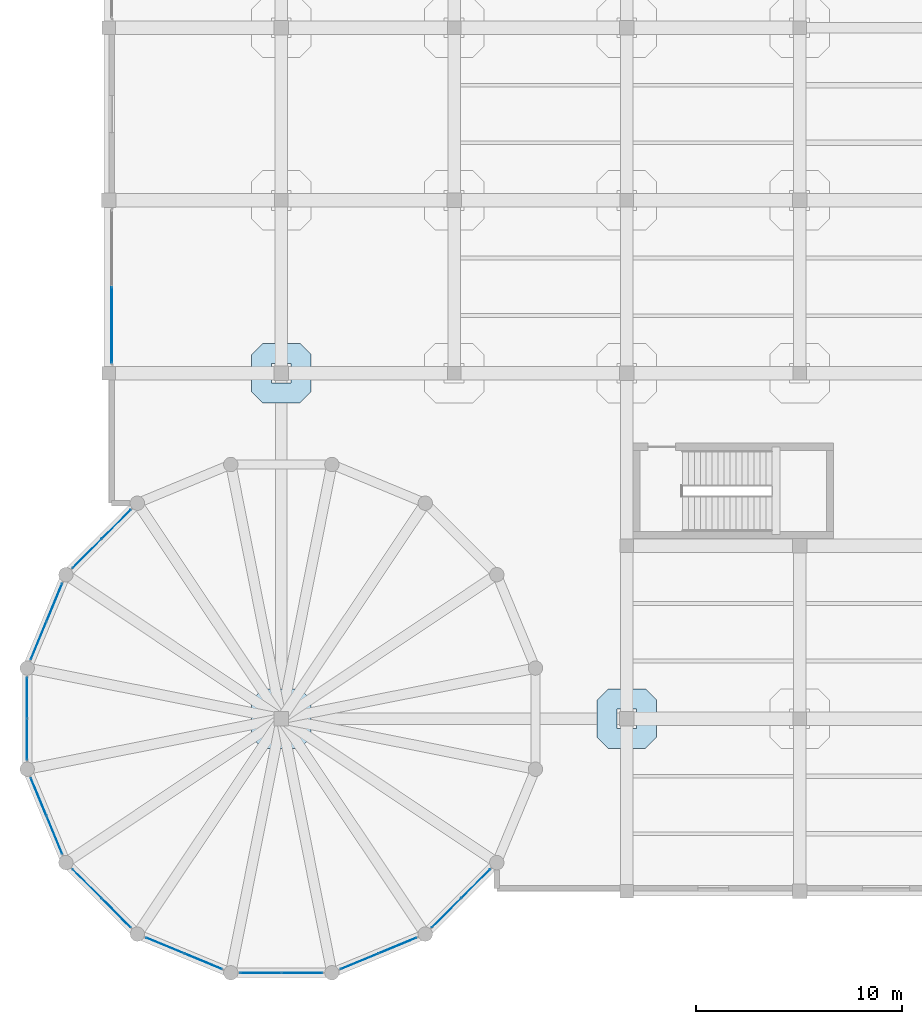
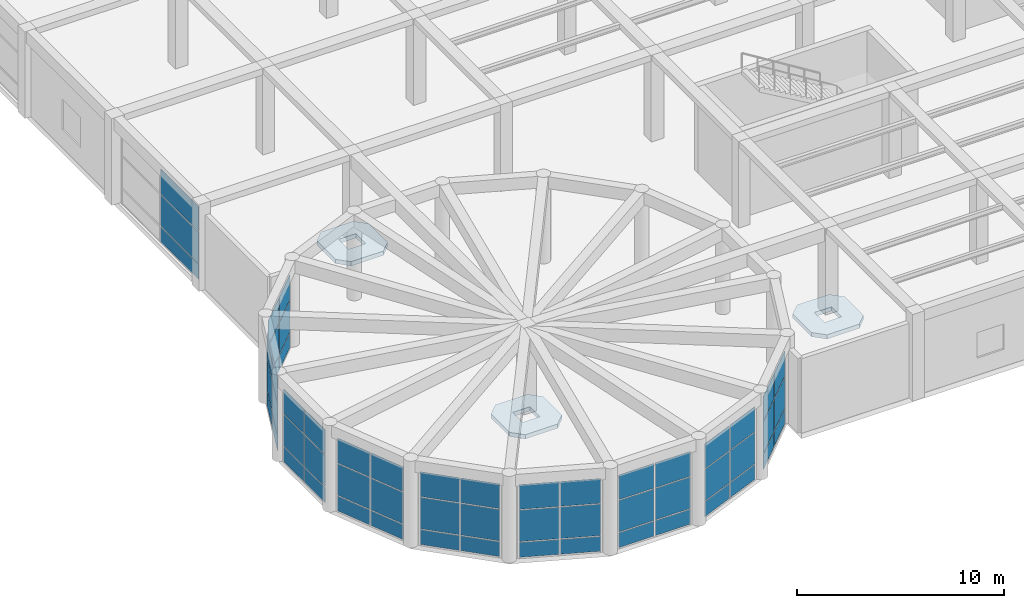
# One storey, part 68 of 95: 57 plates, 3 slabs, 10 elements without a shape of their own.
"""IFC4 building model written with IfcOpenShell, lengths in metres."""

import ifcopenshell
import ifcopenshell.guid

model = None  # the IFC model being written
_history = None  # IfcOwnerHistory: only IFC2X3 demands one
_inside = {}  # id of a spatial element -> (the spatial element, [elements in it])
_under = {}  # id of a project, library or spatial element -> (it, [spatial elements below it])
_declared = {}  # id of a project -> (the project, [libraries it declares])
_typed = {}  # id of a type object -> (the type object, [elements of that type])
_made_of = {}  # id of a material, layer set ... -> (it, [elements and type objects made of it])


def new_model(schema):
    """Start an empty IFC model of exactly this schema.

    Asked for "IFC4X3", IfcOpenShell would pick the latest addendum, in which some entities
    have other attributes; the version numbers below select the first issue.
    IFC2X3 requires an IfcOwnerHistory on every rooted entity: one is made here for all.
    """
    global model, _history
    if schema == "IFC4X3":
        model = ifcopenshell.file(schema_version=(4, 3, 0, 0))
    else:
        model = ifcopenshell.file(schema=schema)
    _inside.clear()
    _under.clear()
    _declared.clear()
    _typed.clear()
    _made_of.clear()
    _history = None
    if model.schema == "IFC2X3":
        org = make("IfcOrganization", Name="unknown")
        user = make(
            "IfcPersonAndOrganization",
            ThePerson=make("IfcPerson", FamilyName="unknown"),
            TheOrganization=org,
        )
        app = make(
            "IfcApplication",
            ApplicationDeveloper=org,
            Version="unknown",
            ApplicationFullName="unknown",
            ApplicationIdentifier="unknown",
        )
        _history = make(
            "IfcOwnerHistory",
            OwningUser=user,
            OwningApplication=app,
            ChangeAction="ADDED",
            CreationDate=0,
        )
    return model


def make(cls, **values):
    """One entity of the class cls with the attributes given. An attribute that is None is left unset."""
    return model.create_entity(
        cls, **{name: value for name, value in values.items() if value is not None}
    )


def rooted(cls, **values):
    """An entity with a GlobalId (a new one), such as an element, a storey or a relation."""
    return make(cls, GlobalId=ifcopenshell.guid.new(), OwnerHistory=_history, **values)


def si_unit(unit_type, name, prefix=None):
    """IfcSIUnit, for example si_unit("LENGTHUNIT", "METRE", prefix="MILLI")."""
    return make("IfcSIUnit", UnitType=unit_type, Prefix=prefix, Name=name)


def assignment(units):
    """IfcUnitAssignment: the units of a project."""
    return None if units is None else make("IfcUnitAssignment", Units=units)


def point(xyz):
    """IfcCartesianPoint."""
    return None if xyz is None else make("IfcCartesianPoint", Coordinates=xyz)


def direction(xyz):
    """IfcDirection."""
    return None if xyz is None else make("IfcDirection", DirectionRatios=xyz)


def frame(location, z_axis=None, x_axis=None):
    """IfcAxis2Placement3D, a coordinate frame: its origin and axes. An axis left out is left unset."""
    return make(
        "IfcAxis2Placement3D",
        Location=point(location),
        Axis=direction(z_axis),
        RefDirection=direction(x_axis),
    )


def frame_2d(location, x_axis=None):
    """IfcAxis2Placement2D, a coordinate frame in the plane: its origin and x axis."""
    return make(
        "IfcAxis2Placement2D", Location=point(location), RefDirection=direction(x_axis)
    )


def origin():
    """The frame at (0, 0, 0) with its axes left unset."""
    return frame((0.0, 0.0, 0.0))


def origin_2d():
    """The frame at (0, 0) in the plane with its x axis left unset."""
    return frame_2d((0.0, 0.0))


def place(relative_to, where):
    """IfcLocalPlacement: puts the frame where relative to a parent placement (None: the world)."""
    return make(
        "IfcLocalPlacement", PlacementRelTo=relative_to, RelativePlacement=where
    )


def context(
    kind, dimensions, precision=None, world=None, true_north=None, identifier=None
):
    """IfcGeometricRepresentationContext, for example the 3D "Model" context."""
    return make(
        "IfcGeometricRepresentationContext",
        ContextIdentifier=identifier,
        ContextType=kind,
        CoordinateSpaceDimension=dimensions,
        Precision=precision,
        WorldCoordinateSystem=world,
        TrueNorth=true_north,
    )


def subcontext(parent, identifier, kind, view, scale=None):
    """IfcGeometricRepresentationSubContext, for example "Body" below "Model"."""
    return make(
        "IfcGeometricRepresentationSubContext",
        ContextIdentifier=identifier,
        ContextType=kind,
        ParentContext=parent,
        TargetScale=scale,
        TargetView=view,
    )


def project(units=None, contexts=None):
    """IfcProject with its units and contexts."""
    return rooted(
        "IfcProject",
        Name="project",
        RepresentationContexts=contexts,
        UnitsInContext=assignment(units),
    )


def spatial(cls, under=None, at=None, **own):
    """A site, building, storey or space (cls), placed at a placement, below another one or the project."""
    s = rooted(cls, ObjectPlacement=at, **own)
    if under is not None:
        _under.setdefault(under.id(), (under, []))[1].append(s)
    return s


def polyline(points):
    """IfcPolyline through the points."""
    return make("IfcPolyline", Points=[point(p) for p in points])


def profile(cls, at=None, kind="AREA", **sizes):
    """A parametric profile (cls). Its sizes go by their IFC names, for example OverallWidth=200.0."""
    return make(cls, ProfileType=kind, Position=at, **sizes)


def rectangle(**sizes):
    """IfcRectangleProfileDef."""
    return profile("IfcRectangleProfileDef", **sizes)


def outline(outer, holes=None, kind="AREA"):
    """IfcArbitraryClosedProfileDef: a profile drawn as a closed curve; with holes, ...WithVoids."""
    if holes is None:
        return make("IfcArbitraryClosedProfileDef", ProfileType=kind, OuterCurve=outer)
    return make(
        "IfcArbitraryProfileDefWithVoids",
        ProfileType=kind,
        OuterCurve=outer,
        InnerCurves=holes,
    )


def extrude(swept, where, along, depth):
    """IfcExtrudedAreaSolid: the profile swept, set in the frame where, extruded along a direction by depth."""
    return make(
        "IfcExtrudedAreaSolid",
        SweptArea=swept,
        Position=where,
        ExtrudedDirection=direction(along),
        Depth=depth,
    )


def shape(context_of_items, identifier, shape_type, items):
    """IfcShapeRepresentation: the items that make up one representation, for example the "Body"."""
    return make(
        "IfcShapeRepresentation",
        ContextOfItems=context_of_items,
        RepresentationIdentifier=identifier,
        RepresentationType=shape_type,
        Items=items,
    )


def material(Name=None, Category=None):
    """IfcMaterial."""
    return make("IfcMaterial", Name=Name, Category=Category)


def layer(
    of_material, thickness, ventilated=None, Name=None, Category=None, Priority=None
):
    """IfcMaterialLayer: one layer of a wall or slab, of a material (None: an air gap)."""
    return make(
        "IfcMaterialLayer",
        Material=of_material,
        LayerThickness=thickness,
        IsVentilated=ventilated,
        Name=Name,
        Category=Category,
        Priority=Priority,
    )


def layer_set(layers, Name=None):
    """IfcMaterialLayerSet."""
    return make("IfcMaterialLayerSet", MaterialLayers=layers, LayerSetName=Name)


def made_of(thing, what):
    """Note that an element or type object is made of a material, layer set ...; save() writes the relation."""
    if what is not None:
        _made_of.setdefault(what.id(), (what, []))[1].append(thing)
    return thing


def type_object(cls, material=None, **own):
    """A type object (cls), such as IfcWallType, which elements share."""
    return made_of(rooted(cls, **own), material)


def element(
    cls,
    number,
    at=None,
    inside=None,
    cuts=None,
    type_object=None,
    material=None,
    context=None,
    identifier="Body",
    shape_type=None,
    held_by="IfcProductDefinitionShape",
    body=None,
    shapes=None,
    **own,
):
    """One element of the class cls, such as IfcWall. Its Tag is "e" and its number.

    at: its placement. inside: the storey or other place that contains it. cuts: it is an
    opening in that element (IfcRelVoidsElement). A single representation is given by context,
    identifier, shape_type and body (its items); several are given by shapes. held_by: the class
    of the entity that holds the representations. save() writes the other relations.
    """
    e = rooted(cls, Tag="e%d" % number, ObjectPlacement=at, **own)
    if body is not None:
        shapes = [shape(context, identifier, shape_type, body)]
    if shapes is not None:
        e.Representation = make(held_by, Representations=shapes)
    if inside is not None:
        _inside.setdefault(inside.id(), (inside, []))[1].append(e)
    if cuts is not None:
        rooted(
            "IfcRelVoidsElement", RelatingBuildingElement=cuts, RelatedOpeningElement=e
        )
    if type_object is not None:
        _typed.setdefault(type_object.id(), (type_object, []))[1].append(e)
    return made_of(e, material)


def aggregate(whole, parts):
    """IfcRelAggregates: a whole, such as a stair, and the parts it consists of."""
    return rooted("IfcRelAggregates", RelatingObject=whole, RelatedObjects=parts)


def save(model, path):
    """Write the relations noted so far, then the file.

    IfcRelAggregates (storeys below a building ...), IfcRelContainedInSpatialStructure (elements
    in a storey), IfcRelDefinesByType, IfcRelAssociatesMaterial and IfcRelDeclares: one each for
    every whole, place, type object, material and project.
    """
    for whole, parts in _under.values():
        aggregate(whole, parts)
    for where, things in _inside.values():
        rooted(
            "IfcRelContainedInSpatialStructure",
            RelatedElements=things,
            RelatingStructure=where,
        )
    for kind, things in _typed.values():
        rooted("IfcRelDefinesByType", RelatedObjects=things, RelatingType=kind)
    for what, things in _made_of.values():
        rooted("IfcRelAssociatesMaterial", RelatedObjects=things, RelatingMaterial=what)
    for by, libraries in _declared.values():
        rooted("IfcRelDeclares", RelatingContext=by, RelatedDefinitions=libraries)
    model.write(path)


model = new_model("IFC4")

# Units and contexts
model_context = context("Model", 3, precision=1e-05, world=origin(), true_north=direction((0.0, 1.0)))
body_context = subcontext(model_context, "Body", "Model", "MODEL_VIEW")
ifc_project = project(units=[si_unit("LENGTHUNIT", "METRE"), si_unit("AREAUNIT", "SQUARE_METRE"), si_unit("VOLUMEUNIT", "CUBIC_METRE"), si_unit("PLANEANGLEUNIT", "RADIAN"), si_unit("MASSUNIT", "GRAM", prefix="KILO")], contexts=[model_context])

# Site, building, storey
site_placement = place(None, origin())
site = spatial("IfcSite", under=ifc_project, at=site_placement, CompositionType="ELEMENT")
building_placement = place(site_placement, origin())
building = spatial("IfcBuilding", under=site, at=building_placement, Name="Almacenes y Pasaje Nevantli", CompositionType="ELEMENT")
storey_placement = place(building_placement, frame((0.0, 0.0, 11.39990234375)))
storey = spatial("IfcBuildingStorey", under=building, at=storey_placement, Name="L03", CompositionType="ELEMENT", Elevation=11.39990234375)

# Curtain wall, plates
ifc_material_1 = material(Name="Thermally Broken Aluminium and Low-E Glass", Category="aluminium")
curtain_wall_type_1 = type_object("IfcCurtainWallType", Name="CW-UNIT-ROTUNDA", PredefinedType="USERDEFINED", material=ifc_material_1)
curtain_wall_1_placement = place(storey_placement, origin())
curtain_wall_1 = element("IfcCurtainWall", 1, at=curtain_wall_1_placement, inside=storey, type_object=curtain_wall_type_1, Name="L03 Corner Rotunda Faceted Curtain Wall Facet #6", ObjectType="UNITIZED CURTAIN WALL", PredefinedType="USERDEFINED")
ifc_material_2 = material(Name="Tempered Clear Storefront Glazing", Category="glass")
ifc_layer_1 = layer(ifc_material_2, 0.02392578125)
ifc_layer_set_1 = layer_set([ifc_layer_1], Name="Tempered Clear Storefront Glazing")
plate_type_1 = type_object("IfcPlateType", Name="PL-IGU-24", PredefinedType="CURTAIN_PANEL", material=ifc_layer_set_1)
plate_1_placement = place(storey_placement, frame((0.373291015625, 17.85009765625, 0.050048828125), z_axis=(0.0, 0.0, 1.0), x_axis=(-0.707106781187, -0.707106781187, 0.0)))
plate_1 = element("IfcPlate", 2, at=plate_1_placement, type_object=plate_type_1, Name="CW-L03-058 panel 1.1", PredefinedType="CURTAIN_PANEL", context=body_context, shape_type="SweptSolid", body=[
    extrude(rectangle(XDim=1.963134765625, YDim=0.02392578125, at=origin_2d()), origin(), (0.0, 0.0, 1.0), 0.875),
])
plate_2_placement = place(storey_placement, frame((0.373291015625, 17.85009765625, 0.97509765625), z_axis=(0.0, 0.0, 1.0), x_axis=(-0.707106781187, -0.707106781187, 0.0)))
plate_2 = element("IfcPlate", 3, at=plate_2_placement, type_object=plate_type_1, Name="CW-L03-058 panel 1.2", PredefinedType="CURTAIN_PANEL", context=body_context, shape_type="SweptSolid", body=[
    extrude(rectangle(XDim=1.963134765625, YDim=0.02392578125, at=origin_2d()), origin(), (0.0, 0.0, 1.0), 1.85009765625),
])
plate_3_placement = place(storey_placement, frame((0.373291015625, 17.85009765625, 2.875), z_axis=(0.0, 0.0, 1.0), x_axis=(-0.707106781187, -0.707106781187, 0.0)))
plate_3 = element("IfcPlate", 4, at=plate_3_placement, type_object=plate_type_1, Name="CW-L03-058 panel 1.3", PredefinedType="CURTAIN_PANEL", context=body_context, shape_type="SweptSolid", body=[
    extrude(rectangle(XDim=1.963134765625, YDim=0.02392578125, at=origin_2d()), origin(), (0.0, 0.0, 1.0), 1.455078125),
])
plate_4_placement = place(storey_placement, frame((-1.050048828125, 16.426513671875, 0.050048828125), z_axis=(0.0, 0.0, 1.0), x_axis=(-0.707106781187, -0.707106781187, 0.0)))
plate_4 = element("IfcPlate", 5, at=plate_4_placement, type_object=plate_type_1, Name="CW-L03-058 panel 2.1", PredefinedType="CURTAIN_PANEL", context=body_context, shape_type="SweptSolid", body=[
    extrude(rectangle(XDim=1.963134765625, YDim=0.02392578125, at=origin_2d()), origin(), (0.0, 0.0, 1.0), 0.875),
])
plate_5_placement = place(storey_placement, frame((-1.050048828125, 16.426513671875, 0.97509765625), z_axis=(0.0, 0.0, 1.0), x_axis=(-0.707106781187, -0.707106781187, 0.0)))
plate_5 = element("IfcPlate", 6, at=plate_5_placement, type_object=plate_type_1, Name="CW-L03-058 panel 2.2", PredefinedType="CURTAIN_PANEL", context=body_context, shape_type="SweptSolid", body=[
    extrude(rectangle(XDim=1.963134765625, YDim=0.02392578125, at=origin_2d()), origin(), (0.0, 0.0, 1.0), 1.85009765625),
])
plate_6_placement = place(storey_placement, frame((-1.050048828125, 16.426513671875, 2.875), z_axis=(0.0, 0.0, 1.0), x_axis=(-0.707106781187, -0.707106781187, 0.0)))
plate_6 = element("IfcPlate", 7, at=plate_6_placement, type_object=plate_type_1, Name="CW-L03-058 panel 2.3", PredefinedType="CURTAIN_PANEL", context=body_context, shape_type="SweptSolid", body=[
    extrude(rectangle(XDim=1.963134765625, YDim=0.02392578125, at=origin_2d()), origin(), (0.0, 0.0, 1.0), 1.455078125),
])
aggregate(curtain_wall_1, [plate_1, plate_2, plate_3, plate_4, plate_5, plate_6])

curtain_wall_2_placement = place(storey_placement, origin())
curtain_wall_2 = element("IfcCurtainWall", 8, at=curtain_wall_2_placement, inside=storey, type_object=curtain_wall_type_1, Name="L03 Corner Rotunda Faceted Curtain Wall Facet #7", ObjectType="UNITIZED CURTAIN WALL", PredefinedType="USERDEFINED")
plate_7_placement = place(storey_placement, frame((-2.632080078125, 14.05908203125, 0.050048828125), z_axis=(0.0, 0.0, 1.0), x_axis=(-0.382698450865, -0.923873311502, 0.0)))
plate_7 = element("IfcPlate", 9, at=plate_7_placement, type_object=plate_type_1, Name="CW-L03-059 panel 1.1", PredefinedType="CURTAIN_PANEL", context=body_context, shape_type="SweptSolid", body=[
    extrude(rectangle(XDim=1.963134765625, YDim=0.02392578125, at=origin_2d()), origin(), (0.0, 0.0, 1.0), 0.875),
])
plate_8_placement = place(storey_placement, frame((-2.632080078125, 14.05908203125, 0.97509765625), z_axis=(0.0, 0.0, 1.0), x_axis=(-0.382698450865, -0.923873311502, 0.0)))
plate_8 = element("IfcPlate", 10, at=plate_8_placement, type_object=plate_type_1, Name="CW-L03-059 panel 1.2", PredefinedType="CURTAIN_PANEL", context=body_context, shape_type="SweptSolid", body=[
    extrude(rectangle(XDim=1.963134765625, YDim=0.02392578125, at=origin_2d()), origin(), (0.0, 0.0, 1.0), 1.85009765625),
])
plate_9_placement = place(storey_placement, frame((-2.632080078125, 14.05908203125, 2.875), z_axis=(0.0, 0.0, 1.0), x_axis=(-0.382698450865, -0.923873311502, 0.0)))
plate_9 = element("IfcPlate", 11, at=plate_9_placement, type_object=plate_type_1, Name="CW-L03-059 panel 1.3", PredefinedType="CURTAIN_PANEL", context=body_context, shape_type="SweptSolid", body=[
    extrude(rectangle(XDim=1.963134765625, YDim=0.02392578125, at=origin_2d()), origin(), (0.0, 0.0, 1.0), 1.455078125),
])
plate_10_placement = place(storey_placement, frame((-3.40234375, 12.19921875, 0.050048828125), z_axis=(0.0, 0.0, 1.0), x_axis=(-0.382698450865, -0.923873311502, 0.0)))
plate_10 = element("IfcPlate", 12, at=plate_10_placement, type_object=plate_type_1, Name="CW-L03-059 panel 2.1", PredefinedType="CURTAIN_PANEL", context=body_context, shape_type="SweptSolid", body=[
    extrude(rectangle(XDim=1.963134765625, YDim=0.02392578125, at=origin_2d()), origin(), (0.0, 0.0, 1.0), 0.875),
])
plate_11_placement = place(storey_placement, frame((-3.40234375, 12.19921875, 0.97509765625), z_axis=(0.0, 0.0, 1.0), x_axis=(-0.382698450865, -0.923873311502, 0.0)))
plate_11 = element("IfcPlate", 13, at=plate_11_placement, type_object=plate_type_1, Name="CW-L03-059 panel 2.2", PredefinedType="CURTAIN_PANEL", context=body_context, shape_type="SweptSolid", body=[
    extrude(rectangle(XDim=1.963134765625, YDim=0.02392578125, at=origin_2d()), origin(), (0.0, 0.0, 1.0), 1.85009765625),
])
plate_12_placement = place(storey_placement, frame((-3.40234375, 12.19921875, 2.875), z_axis=(0.0, 0.0, 1.0), x_axis=(-0.382698450865, -0.923873311502, 0.0)))
plate_12 = element("IfcPlate", 14, at=plate_12_placement, type_object=plate_type_1, Name="CW-L03-059 panel 2.3", PredefinedType="CURTAIN_PANEL", context=body_context, shape_type="SweptSolid", body=[
    extrude(rectangle(XDim=1.963134765625, YDim=0.02392578125, at=origin_2d()), origin(), (0.0, 0.0, 1.0), 1.455078125),
])
aggregate(curtain_wall_2, [plate_7, plate_8, plate_9, plate_10, plate_11, plate_12])

curtain_wall_3_placement = place(storey_placement, origin())
curtain_wall_3 = element("IfcCurtainWall", 15, at=curtain_wall_3_placement, inside=storey, type_object=curtain_wall_type_1, Name="L03 Corner Rotunda Faceted Curtain Wall Facet #8", ObjectType="UNITIZED CURTAIN WALL", PredefinedType="USERDEFINED")
plate_13_placement = place(storey_placement, frame((-3.9580078125, 9.406494140625, 0.050048828125), z_axis=(0.0, 0.0, 1.0), x_axis=(0.0, -1.0, 0.0)))
plate_13 = element("IfcPlate", 16, at=plate_13_placement, type_object=plate_type_1, Name="CW-L03-060 panel 1.1", PredefinedType="CURTAIN_PANEL", context=body_context, shape_type="SweptSolid", body=[
    extrude(rectangle(XDim=1.963134765625, YDim=0.02392578125, at=origin_2d()), origin(), (0.0, 0.0, 1.0), 0.875),
])
plate_14_placement = place(storey_placement, frame((-3.9580078125, 9.406494140625, 0.97509765625), z_axis=(0.0, 0.0, 1.0), x_axis=(0.0, -1.0, 0.0)))
plate_14 = element("IfcPlate", 17, at=plate_14_placement, type_object=plate_type_1, Name="CW-L03-060 panel 1.2", PredefinedType="CURTAIN_PANEL", context=body_context, shape_type="SweptSolid", body=[
    extrude(rectangle(XDim=1.963134765625, YDim=0.02392578125, at=origin_2d()), origin(), (0.0, 0.0, 1.0), 1.85009765625),
])
plate_15_placement = place(storey_placement, frame((-3.9580078125, 9.406494140625, 2.875), z_axis=(0.0, 0.0, 1.0), x_axis=(0.0, -1.0, 0.0)))
plate_15 = element("IfcPlate", 18, at=plate_15_placement, type_object=plate_type_1, Name="CW-L03-060 panel 1.3", PredefinedType="CURTAIN_PANEL", context=body_context, shape_type="SweptSolid", body=[
    extrude(rectangle(XDim=1.963134765625, YDim=0.02392578125, at=origin_2d()), origin(), (0.0, 0.0, 1.0), 1.455078125),
])
plate_16_placement = place(storey_placement, frame((-3.9580078125, 7.3935546875, 0.050048828125), z_axis=(0.0, 0.0, 1.0), x_axis=(0.0, -1.0, 0.0)))
plate_16 = element("IfcPlate", 19, at=plate_16_placement, type_object=plate_type_1, Name="CW-L03-060 panel 2.1", PredefinedType="CURTAIN_PANEL", context=body_context, shape_type="SweptSolid", body=[
    extrude(rectangle(XDim=1.963134765625, YDim=0.02392578125, at=origin_2d()), origin(), (0.0, 0.0, 1.0), 0.875),
])
plate_17_placement = place(storey_placement, frame((-3.9580078125, 7.3935546875, 0.97509765625), z_axis=(0.0, 0.0, 1.0), x_axis=(0.0, -1.0, 0.0)))
plate_17 = element("IfcPlate", 20, at=plate_17_placement, type_object=plate_type_1, Name="CW-L03-060 panel 2.2", PredefinedType="CURTAIN_PANEL", context=body_context, shape_type="SweptSolid", body=[
    extrude(rectangle(XDim=1.963134765625, YDim=0.02392578125, at=origin_2d()), origin(), (0.0, 0.0, 1.0), 1.85009765625),
])
plate_18_placement = place(storey_placement, frame((-3.9580078125, 7.3935546875, 2.875), z_axis=(0.0, 0.0, 1.0), x_axis=(0.0, -1.0, 0.0)))
plate_18 = element("IfcPlate", 21, at=plate_18_placement, type_object=plate_type_1, Name="CW-L03-060 panel 2.3", PredefinedType="CURTAIN_PANEL", context=body_context, shape_type="SweptSolid", body=[
    extrude(rectangle(XDim=1.963134765625, YDim=0.02392578125, at=origin_2d()), origin(), (0.0, 0.0, 1.0), 1.455078125),
])
aggregate(curtain_wall_3, [plate_13, plate_14, plate_15, plate_16, plate_17, plate_18])

curtain_wall_4_placement = place(storey_placement, origin())
curtain_wall_4 = element("IfcCurtainWall", 22, at=curtain_wall_4_placement, inside=storey, type_object=curtain_wall_type_1, Name="L03 Corner Rotunda Faceted Curtain Wall Facet #9", ObjectType="UNITIZED CURTAIN WALL", PredefinedType="USERDEFINED")
plate_19_placement = place(storey_placement, frame((-3.40234375, 4.600830078125, 0.050048828125), z_axis=(0.0, 0.0, 1.0), x_axis=(0.382698450865, -0.923873311502, 0.0)))
plate_19 = element("IfcPlate", 23, at=plate_19_placement, type_object=plate_type_1, Name="CW-L03-061 panel 1.1", PredefinedType="CURTAIN_PANEL", context=body_context, shape_type="SweptSolid", body=[
    extrude(rectangle(XDim=1.963134765625, YDim=0.02392578125, at=origin_2d()), origin(), (0.0, 0.0, 1.0), 0.875),
])
plate_20_placement = place(storey_placement, frame((-3.40234375, 4.600830078125, 0.97509765625), z_axis=(0.0, 0.0, 1.0), x_axis=(0.382698450865, -0.923873311502, 0.0)))
plate_20 = element("IfcPlate", 24, at=plate_20_placement, type_object=plate_type_1, Name="CW-L03-061 panel 1.2", PredefinedType="CURTAIN_PANEL", context=body_context, shape_type="SweptSolid", body=[
    extrude(rectangle(XDim=1.963134765625, YDim=0.02392578125, at=origin_2d()), origin(), (0.0, 0.0, 1.0), 1.85009765625),
])
plate_21_placement = place(storey_placement, frame((-3.40234375, 4.600830078125, 2.875), z_axis=(0.0, 0.0, 1.0), x_axis=(0.382698450865, -0.923873311502, 0.0)))
plate_21 = element("IfcPlate", 25, at=plate_21_placement, type_object=plate_type_1, Name="CW-L03-061 panel 1.3", PredefinedType="CURTAIN_PANEL", context=body_context, shape_type="SweptSolid", body=[
    extrude(rectangle(XDim=1.963134765625, YDim=0.02392578125, at=origin_2d()), origin(), (0.0, 0.0, 1.0), 1.455078125),
])
plate_22_placement = place(storey_placement, frame((-2.632080078125, 2.740966796875, 0.050048828125), z_axis=(0.0, 0.0, 1.0), x_axis=(0.382698450865, -0.923873311502, 0.0)))
plate_22 = element("IfcPlate", 26, at=plate_22_placement, type_object=plate_type_1, Name="CW-L03-061 panel 2.1", PredefinedType="CURTAIN_PANEL", context=body_context, shape_type="SweptSolid", body=[
    extrude(rectangle(XDim=1.963134765625, YDim=0.02392578125, at=origin_2d()), origin(), (0.0, 0.0, 1.0), 0.875),
])
plate_23_placement = place(storey_placement, frame((-2.632080078125, 2.740966796875, 0.97509765625), z_axis=(0.0, 0.0, 1.0), x_axis=(0.382698450865, -0.923873311502, 0.0)))
plate_23 = element("IfcPlate", 27, at=plate_23_placement, type_object=plate_type_1, Name="CW-L03-061 panel 2.2", PredefinedType="CURTAIN_PANEL", context=body_context, shape_type="SweptSolid", body=[
    extrude(rectangle(XDim=1.963134765625, YDim=0.02392578125, at=origin_2d()), origin(), (0.0, 0.0, 1.0), 1.85009765625),
])
plate_24_placement = place(storey_placement, frame((-2.632080078125, 2.740966796875, 2.875), z_axis=(0.0, 0.0, 1.0), x_axis=(0.382698450865, -0.923873311502, 0.0)))
plate_24 = element("IfcPlate", 28, at=plate_24_placement, type_object=plate_type_1, Name="CW-L03-061 panel 2.3", PredefinedType="CURTAIN_PANEL", context=body_context, shape_type="SweptSolid", body=[
    extrude(rectangle(XDim=1.963134765625, YDim=0.02392578125, at=origin_2d()), origin(), (0.0, 0.0, 1.0), 1.455078125),
])
aggregate(curtain_wall_4, [plate_19, plate_20, plate_21, plate_22, plate_23, plate_24])

curtain_wall_5_placement = place(storey_placement, origin())
curtain_wall_5 = element("IfcCurtainWall", 29, at=curtain_wall_5_placement, inside=storey, type_object=curtain_wall_type_1, Name="L03 Corner Rotunda Faceted Curtain Wall Facet #10", ObjectType="UNITIZED CURTAIN WALL", PredefinedType="USERDEFINED")
plate_25_placement = place(storey_placement, frame((-1.050048828125, 0.373291015625, 0.050048828125), z_axis=(0.0, 0.0, 1.0), x_axis=(0.707106781187, -0.707106781187, 0.0)))
plate_25 = element("IfcPlate", 30, at=plate_25_placement, type_object=plate_type_1, Name="CW-L03-062 panel 1.1", PredefinedType="CURTAIN_PANEL", context=body_context, shape_type="SweptSolid", body=[
    extrude(rectangle(XDim=1.963134765625, YDim=0.02392578125, at=origin_2d()), origin(), (0.0, 0.0, 1.0), 0.875),
])
plate_26_placement = place(storey_placement, frame((-1.050048828125, 0.373291015625, 0.97509765625), z_axis=(0.0, 0.0, 1.0), x_axis=(0.707106781187, -0.707106781187, 0.0)))
plate_26 = element("IfcPlate", 31, at=plate_26_placement, type_object=plate_type_1, Name="CW-L03-062 panel 1.2", PredefinedType="CURTAIN_PANEL", context=body_context, shape_type="SweptSolid", body=[
    extrude(rectangle(XDim=1.963134765625, YDim=0.02392578125, at=origin_2d()), origin(), (0.0, 0.0, 1.0), 1.85009765625),
])
plate_27_placement = place(storey_placement, frame((-1.050048828125, 0.373291015625, 2.875), z_axis=(0.0, 0.0, 1.0), x_axis=(0.707106781187, -0.707106781187, 0.0)))
plate_27 = element("IfcPlate", 32, at=plate_27_placement, type_object=plate_type_1, Name="CW-L03-062 panel 1.3", PredefinedType="CURTAIN_PANEL", context=body_context, shape_type="SweptSolid", body=[
    extrude(rectangle(XDim=1.963134765625, YDim=0.02392578125, at=origin_2d()), origin(), (0.0, 0.0, 1.0), 1.455078125),
])
plate_28_placement = place(storey_placement, frame((0.373291015625, -1.050048828125, 0.050048828125), z_axis=(0.0, 0.0, 1.0), x_axis=(0.707106781187, -0.707106781187, 0.0)))
plate_28 = element("IfcPlate", 33, at=plate_28_placement, type_object=plate_type_1, Name="CW-L03-062 panel 2.1", PredefinedType="CURTAIN_PANEL", context=body_context, shape_type="SweptSolid", body=[
    extrude(rectangle(XDim=1.963134765625, YDim=0.02392578125, at=origin_2d()), origin(), (0.0, 0.0, 1.0), 0.875),
])
plate_29_placement = place(storey_placement, frame((0.373291015625, -1.050048828125, 0.97509765625), z_axis=(0.0, 0.0, 1.0), x_axis=(0.707106781187, -0.707106781187, 0.0)))
plate_29 = element("IfcPlate", 34, at=plate_29_placement, type_object=plate_type_1, Name="CW-L03-062 panel 2.2", PredefinedType="CURTAIN_PANEL", context=body_context, shape_type="SweptSolid", body=[
    extrude(rectangle(XDim=1.963134765625, YDim=0.02392578125, at=origin_2d()), origin(), (0.0, 0.0, 1.0), 1.85009765625),
])
plate_30_placement = place(storey_placement, frame((0.373291015625, -1.050048828125, 2.875), z_axis=(0.0, 0.0, 1.0), x_axis=(0.707106781187, -0.707106781187, 0.0)))
plate_30 = element("IfcPlate", 35, at=plate_30_placement, type_object=plate_type_1, Name="CW-L03-062 panel 2.3", PredefinedType="CURTAIN_PANEL", context=body_context, shape_type="SweptSolid", body=[
    extrude(rectangle(XDim=1.963134765625, YDim=0.02392578125, at=origin_2d()), origin(), (0.0, 0.0, 1.0), 1.455078125),
])
aggregate(curtain_wall_5, [plate_25, plate_26, plate_27, plate_28, plate_29, plate_30])

curtain_wall_6_placement = place(storey_placement, origin())
curtain_wall_6 = element("IfcCurtainWall", 36, at=curtain_wall_6_placement, inside=storey, type_object=curtain_wall_type_1, Name="L03 Corner Rotunda Faceted Curtain Wall Facet #11", ObjectType="UNITIZED CURTAIN WALL", PredefinedType="USERDEFINED")
plate_31_placement = place(storey_placement, frame((2.740966796875, -2.632080078125, 0.050048828125), z_axis=(0.0, 0.0, 1.0), x_axis=(0.923873311502, -0.382698450865, 0.0)))
plate_31 = element("IfcPlate", 37, at=plate_31_placement, type_object=plate_type_1, Name="CW-L03-063 panel 1.1", PredefinedType="CURTAIN_PANEL", context=body_context, shape_type="SweptSolid", body=[
    extrude(rectangle(XDim=1.963134765625, YDim=0.02392578125, at=origin_2d()), origin(), (0.0, 0.0, 1.0), 0.875),
])
plate_32_placement = place(storey_placement, frame((2.740966796875, -2.632080078125, 0.97509765625), z_axis=(0.0, 0.0, 1.0), x_axis=(0.923873311502, -0.382698450865, 0.0)))
plate_32 = element("IfcPlate", 38, at=plate_32_placement, type_object=plate_type_1, Name="CW-L03-063 panel 1.2", PredefinedType="CURTAIN_PANEL", context=body_context, shape_type="SweptSolid", body=[
    extrude(rectangle(XDim=1.963134765625, YDim=0.02392578125, at=origin_2d()), origin(), (0.0, 0.0, 1.0), 1.85009765625),
])
plate_33_placement = place(storey_placement, frame((2.740966796875, -2.632080078125, 2.875), z_axis=(0.0, 0.0, 1.0), x_axis=(0.923873311502, -0.382698450865, 0.0)))
plate_33 = element("IfcPlate", 39, at=plate_33_placement, type_object=plate_type_1, Name="CW-L03-063 panel 1.3", PredefinedType="CURTAIN_PANEL", context=body_context, shape_type="SweptSolid", body=[
    extrude(rectangle(XDim=1.963134765625, YDim=0.02392578125, at=origin_2d()), origin(), (0.0, 0.0, 1.0), 1.455078125),
])
plate_34_placement = place(storey_placement, frame((4.600830078125, -3.40234375, 0.050048828125), z_axis=(0.0, 0.0, 1.0), x_axis=(0.923873311502, -0.382698450865, 0.0)))
plate_34 = element("IfcPlate", 40, at=plate_34_placement, type_object=plate_type_1, Name="CW-L03-063 panel 2.1", PredefinedType="CURTAIN_PANEL", context=body_context, shape_type="SweptSolid", body=[
    extrude(rectangle(XDim=1.963134765625, YDim=0.02392578125, at=origin_2d()), origin(), (0.0, 0.0, 1.0), 0.875),
])
plate_35_placement = place(storey_placement, frame((4.600830078125, -3.40234375, 0.97509765625), z_axis=(0.0, 0.0, 1.0), x_axis=(0.923873311502, -0.382698450865, 0.0)))
plate_35 = element("IfcPlate", 41, at=plate_35_placement, type_object=plate_type_1, Name="CW-L03-063 panel 2.2", PredefinedType="CURTAIN_PANEL", context=body_context, shape_type="SweptSolid", body=[
    extrude(rectangle(XDim=1.963134765625, YDim=0.02392578125, at=origin_2d()), origin(), (0.0, 0.0, 1.0), 1.85009765625),
])
plate_36_placement = place(storey_placement, frame((4.600830078125, -3.40234375, 2.875), z_axis=(0.0, 0.0, 1.0), x_axis=(0.923873311502, -0.382698450865, 0.0)))
plate_36 = element("IfcPlate", 42, at=plate_36_placement, type_object=plate_type_1, Name="CW-L03-063 panel 2.3", PredefinedType="CURTAIN_PANEL", context=body_context, shape_type="SweptSolid", body=[
    extrude(rectangle(XDim=1.963134765625, YDim=0.02392578125, at=origin_2d()), origin(), (0.0, 0.0, 1.0), 1.455078125),
])
aggregate(curtain_wall_6, [plate_31, plate_32, plate_33, plate_34, plate_35, plate_36])

curtain_wall_7_placement = place(storey_placement, origin())
curtain_wall_7 = element("IfcCurtainWall", 43, at=curtain_wall_7_placement, inside=storey, type_object=curtain_wall_type_1, Name="L03 Corner Rotunda Faceted Curtain Wall Facet #12", ObjectType="UNITIZED CURTAIN WALL", PredefinedType="USERDEFINED")
plate_37_placement = place(storey_placement, frame((7.3935546875, -3.9580078125, 0.050048828125), z_axis=(0.0, 0.0, 1.0), x_axis=(1.0, 0.0, 0.0)))
plate_37 = element("IfcPlate", 44, at=plate_37_placement, type_object=plate_type_1, Name="CW-L03-064 panel 1.1", PredefinedType="CURTAIN_PANEL", context=body_context, shape_type="SweptSolid", body=[
    extrude(rectangle(XDim=1.963134765625, YDim=0.02392578125, at=origin_2d()), origin(), (0.0, 0.0, 1.0), 0.875),
])
plate_38_placement = place(storey_placement, frame((7.3935546875, -3.9580078125, 0.97509765625), z_axis=(0.0, 0.0, 1.0), x_axis=(1.0, 0.0, 0.0)))
plate_38 = element("IfcPlate", 45, at=plate_38_placement, type_object=plate_type_1, Name="CW-L03-064 panel 1.2", PredefinedType="CURTAIN_PANEL", context=body_context, shape_type="SweptSolid", body=[
    extrude(rectangle(XDim=1.963134765625, YDim=0.02392578125, at=origin_2d()), origin(), (0.0, 0.0, 1.0), 1.85009765625),
])
plate_39_placement = place(storey_placement, frame((7.3935546875, -3.9580078125, 2.875), z_axis=(0.0, 0.0, 1.0), x_axis=(1.0, 0.0, 0.0)))
plate_39 = element("IfcPlate", 46, at=plate_39_placement, type_object=plate_type_1, Name="CW-L03-064 panel 1.3", PredefinedType="CURTAIN_PANEL", context=body_context, shape_type="SweptSolid", body=[
    extrude(rectangle(XDim=1.963134765625, YDim=0.02392578125, at=origin_2d()), origin(), (0.0, 0.0, 1.0), 1.455078125),
])
plate_40_placement = place(storey_placement, frame((9.406494140625, -3.9580078125, 0.050048828125), z_axis=(0.0, 0.0, 1.0), x_axis=(1.0, 0.0, 0.0)))
plate_40 = element("IfcPlate", 47, at=plate_40_placement, type_object=plate_type_1, Name="CW-L03-064 panel 2.1", PredefinedType="CURTAIN_PANEL", context=body_context, shape_type="SweptSolid", body=[
    extrude(rectangle(XDim=1.963134765625, YDim=0.02392578125, at=origin_2d()), origin(), (0.0, 0.0, 1.0), 0.875),
])
plate_41_placement = place(storey_placement, frame((9.406494140625, -3.9580078125, 0.97509765625), z_axis=(0.0, 0.0, 1.0), x_axis=(1.0, 0.0, 0.0)))
plate_41 = element("IfcPlate", 48, at=plate_41_placement, type_object=plate_type_1, Name="CW-L03-064 panel 2.2", PredefinedType="CURTAIN_PANEL", context=body_context, shape_type="SweptSolid", body=[
    extrude(rectangle(XDim=1.963134765625, YDim=0.02392578125, at=origin_2d()), origin(), (0.0, 0.0, 1.0), 1.85009765625),
])
plate_42_placement = place(storey_placement, frame((9.406494140625, -3.9580078125, 2.875), z_axis=(0.0, 0.0, 1.0), x_axis=(1.0, 0.0, 0.0)))
plate_42 = element("IfcPlate", 49, at=plate_42_placement, type_object=plate_type_1, Name="CW-L03-064 panel 2.3", PredefinedType="CURTAIN_PANEL", context=body_context, shape_type="SweptSolid", body=[
    extrude(rectangle(XDim=1.963134765625, YDim=0.02392578125, at=origin_2d()), origin(), (0.0, 0.0, 1.0), 1.455078125),
])
aggregate(curtain_wall_7, [plate_37, plate_38, plate_39, plate_40, plate_41, plate_42])

curtain_wall_8_placement = place(storey_placement, origin())
curtain_wall_8 = element("IfcCurtainWall", 50, at=curtain_wall_8_placement, inside=storey, type_object=curtain_wall_type_1, Name="L03 Corner Rotunda Faceted Curtain Wall Facet #13", ObjectType="UNITIZED CURTAIN WALL", PredefinedType="USERDEFINED")
plate_43_placement = place(storey_placement, frame((12.19921875, -3.40234375, 0.050048828125), z_axis=(0.0, 0.0, 1.0), x_axis=(0.923873311502, 0.382698450865, 0.0)))
plate_43 = element("IfcPlate", 51, at=plate_43_placement, type_object=plate_type_1, Name="CW-L03-065 panel 1.1", PredefinedType="CURTAIN_PANEL", context=body_context, shape_type="SweptSolid", body=[
    extrude(rectangle(XDim=1.963134765625, YDim=0.02392578125, at=origin_2d()), origin(), (0.0, 0.0, 1.0), 0.875),
])
plate_44_placement = place(storey_placement, frame((12.19921875, -3.40234375, 0.97509765625), z_axis=(0.0, 0.0, 1.0), x_axis=(0.923873311502, 0.382698450865, 0.0)))
plate_44 = element("IfcPlate", 52, at=plate_44_placement, type_object=plate_type_1, Name="CW-L03-065 panel 1.2", PredefinedType="CURTAIN_PANEL", context=body_context, shape_type="SweptSolid", body=[
    extrude(rectangle(XDim=1.963134765625, YDim=0.02392578125, at=origin_2d()), origin(), (0.0, 0.0, 1.0), 1.85009765625),
])
plate_45_placement = place(storey_placement, frame((12.19921875, -3.40234375, 2.875), z_axis=(0.0, 0.0, 1.0), x_axis=(0.923873311502, 0.382698450865, 0.0)))
plate_45 = element("IfcPlate", 53, at=plate_45_placement, type_object=plate_type_1, Name="CW-L03-065 panel 1.3", PredefinedType="CURTAIN_PANEL", context=body_context, shape_type="SweptSolid", body=[
    extrude(rectangle(XDim=1.963134765625, YDim=0.02392578125, at=origin_2d()), origin(), (0.0, 0.0, 1.0), 1.455078125),
])
plate_46_placement = place(storey_placement, frame((14.05908203125, -2.632080078125, 0.050048828125), z_axis=(0.0, 0.0, 1.0), x_axis=(0.923873311502, 0.382698450865, 0.0)))
plate_46 = element("IfcPlate", 54, at=plate_46_placement, type_object=plate_type_1, Name="CW-L03-065 panel 2.1", PredefinedType="CURTAIN_PANEL", context=body_context, shape_type="SweptSolid", body=[
    extrude(rectangle(XDim=1.963134765625, YDim=0.02392578125, at=origin_2d()), origin(), (0.0, 0.0, 1.0), 0.875),
])
plate_47_placement = place(storey_placement, frame((14.05908203125, -2.632080078125, 0.97509765625), z_axis=(0.0, 0.0, 1.0), x_axis=(0.923873311502, 0.382698450865, 0.0)))
plate_47 = element("IfcPlate", 55, at=plate_47_placement, type_object=plate_type_1, Name="CW-L03-065 panel 2.2", PredefinedType="CURTAIN_PANEL", context=body_context, shape_type="SweptSolid", body=[
    extrude(rectangle(XDim=1.963134765625, YDim=0.02392578125, at=origin_2d()), origin(), (0.0, 0.0, 1.0), 1.85009765625),
])
plate_48_placement = place(storey_placement, frame((14.05908203125, -2.632080078125, 2.875), z_axis=(0.0, 0.0, 1.0), x_axis=(0.923873311502, 0.382698450865, 0.0)))
plate_48 = element("IfcPlate", 56, at=plate_48_placement, type_object=plate_type_1, Name="CW-L03-065 panel 2.3", PredefinedType="CURTAIN_PANEL", context=body_context, shape_type="SweptSolid", body=[
    extrude(rectangle(XDim=1.963134765625, YDim=0.02392578125, at=origin_2d()), origin(), (0.0, 0.0, 1.0), 1.455078125),
])
aggregate(curtain_wall_8, [plate_43, plate_44, plate_45, plate_46, plate_47, plate_48])

curtain_wall_9_placement = place(storey_placement, origin())
curtain_wall_9 = element("IfcCurtainWall", 57, at=curtain_wall_9_placement, inside=storey, type_object=curtain_wall_type_1, Name="L03 Corner Rotunda Faceted Curtain Wall Facet #14", ObjectType="UNITIZED CURTAIN WALL", PredefinedType="USERDEFINED")
plate_49_placement = place(storey_placement, frame((16.426513671875, -1.050048828125, 0.050048828125), z_axis=(0.0, 0.0, 1.0), x_axis=(0.707106781187, 0.707106781187, 0.0)))
plate_49 = element("IfcPlate", 58, at=plate_49_placement, type_object=plate_type_1, Name="CW-L03-066 panel 1.1", PredefinedType="CURTAIN_PANEL", context=body_context, shape_type="SweptSolid", body=[
    extrude(rectangle(XDim=1.963134765625, YDim=0.02392578125, at=origin_2d()), origin(), (0.0, 0.0, 1.0), 0.875),
])
plate_50_placement = place(storey_placement, frame((16.426513671875, -1.050048828125, 0.97509765625), z_axis=(0.0, 0.0, 1.0), x_axis=(0.707106781187, 0.707106781187, 0.0)))
plate_50 = element("IfcPlate", 59, at=plate_50_placement, type_object=plate_type_1, Name="CW-L03-066 panel 1.2", PredefinedType="CURTAIN_PANEL", context=body_context, shape_type="SweptSolid", body=[
    extrude(rectangle(XDim=1.963134765625, YDim=0.02392578125, at=origin_2d()), origin(), (0.0, 0.0, 1.0), 1.85009765625),
])
plate_51_placement = place(storey_placement, frame((16.426513671875, -1.050048828125, 2.875), z_axis=(0.0, 0.0, 1.0), x_axis=(0.707106781187, 0.707106781187, 0.0)))
plate_51 = element("IfcPlate", 60, at=plate_51_placement, type_object=plate_type_1, Name="CW-L03-066 panel 1.3", PredefinedType="CURTAIN_PANEL", context=body_context, shape_type="SweptSolid", body=[
    extrude(rectangle(XDim=1.963134765625, YDim=0.02392578125, at=origin_2d()), origin(), (0.0, 0.0, 1.0), 1.455078125),
])
plate_52_placement = place(storey_placement, frame((17.85009765625, 0.373291015625, 0.050048828125), z_axis=(0.0, 0.0, 1.0), x_axis=(0.707106781187, 0.707106781187, 0.0)))
plate_52 = element("IfcPlate", 61, at=plate_52_placement, type_object=plate_type_1, Name="CW-L03-066 panel 2.1", PredefinedType="CURTAIN_PANEL", context=body_context, shape_type="SweptSolid", body=[
    extrude(rectangle(XDim=1.963134765625, YDim=0.02392578125, at=origin_2d()), origin(), (0.0, 0.0, 1.0), 0.875),
])
plate_53_placement = place(storey_placement, frame((17.85009765625, 0.373291015625, 0.97509765625), z_axis=(0.0, 0.0, 1.0), x_axis=(0.707106781187, 0.707106781187, 0.0)))
plate_53 = element("IfcPlate", 62, at=plate_53_placement, type_object=plate_type_1, Name="CW-L03-066 panel 2.2", PredefinedType="CURTAIN_PANEL", context=body_context, shape_type="SweptSolid", body=[
    extrude(rectangle(XDim=1.963134765625, YDim=0.02392578125, at=origin_2d()), origin(), (0.0, 0.0, 1.0), 1.85009765625),
])
plate_54_placement = place(storey_placement, frame((17.85009765625, 0.373291015625, 2.875), z_axis=(0.0, 0.0, 1.0), x_axis=(0.707106781187, 0.707106781187, 0.0)))
plate_54 = element("IfcPlate", 63, at=plate_54_placement, type_object=plate_type_1, Name="CW-L03-066 panel 2.3", PredefinedType="CURTAIN_PANEL", context=body_context, shape_type="SweptSolid", body=[
    extrude(rectangle(XDim=1.963134765625, YDim=0.02392578125, at=origin_2d()), origin(), (0.0, 0.0, 1.0), 1.455078125),
])
aggregate(curtain_wall_9, [plate_49, plate_50, plate_51, plate_52, plate_53, plate_54])

ifc_material_3 = material(Name="Thermally Broken Aluminium and Low-E Glass", Category="aluminium")
curtain_wall_type_2 = type_object("IfcCurtainWallType", Name="CW-UNIT-PODIUM", PredefinedType="USERDEFINED", material=ifc_material_3)
curtain_wall_10_placement = place(storey_placement, origin())
curtain_wall_10 = element("IfcCurtainWall", 64, at=curtain_wall_10_placement, inside=storey, type_object=curtain_wall_type_2, Name="L03 West Avenue Unitized Curtain Wall Bay 4", ObjectType="UNITIZED CURTAIN WALL", PredefinedType="USERDEFINED")
ifc_material_4 = material(Name="Low-E Double Glazed Insulated Unit", Category="glass")
ifc_layer_2 = layer(ifc_material_4, 0.031982421875)
ifc_layer_set_2 = layer_set([ifc_layer_2], Name="Low-E Double Glazed Insulated Unit")
plate_type_2 = type_object("IfcPlateType", Name="PL-IGU-32", PredefinedType="CURTAIN_PANEL", material=ifc_layer_set_2)
plate_55_placement = place(storey_placement, frame((0.14990234375, 27.538818359375, 0.05517578125), z_axis=(0.0, 0.0, 1.0), x_axis=(0.0, 1.0, 0.0)))
plate_55 = element("IfcPlate", 65, at=plate_55_placement, type_object=plate_type_2, Name="CW-L03-048 panel 1.1", PredefinedType="CURTAIN_PANEL", context=body_context, shape_type="SweptSolid", body=[
    extrude(rectangle(XDim=3.66748046875, YDim=0.031982421875, at=origin_2d()), origin(), (0.0, 0.0, 1.0), 0.867431640625),
])
plate_56_placement = place(storey_placement, frame((0.14990234375, 27.538818359375, 0.9775390625), z_axis=(0.0, 0.0, 1.0), x_axis=(0.0, 1.0, 0.0)))
plate_56 = element("IfcPlate", 66, at=plate_56_placement, type_object=plate_type_2, Name="CW-L03-048 panel 1.2", PredefinedType="CURTAIN_PANEL", context=body_context, shape_type="SweptSolid", body=[
    extrude(rectangle(XDim=3.66748046875, YDim=0.031982421875, at=origin_2d()), origin(), (0.0, 0.0, 1.0), 1.844970703125),
])
plate_57_placement = place(storey_placement, frame((0.14990234375, 27.538818359375, 2.87744140625), z_axis=(0.0, 0.0, 1.0), x_axis=(0.0, 1.0, 0.0)))
plate_57 = element("IfcPlate", 67, at=plate_57_placement, type_object=plate_type_2, Name="CW-L03-048 panel 1.3", PredefinedType="CURTAIN_PANEL", context=body_context, shape_type="SweptSolid", body=[
    extrude(rectangle(XDim=3.66748046875, YDim=0.031982421875, at=origin_2d()), origin(), (0.0, 0.0, 1.0), 1.447509765625),
])
aggregate(curtain_wall_10, [plate_55, plate_56, plate_57])

# Slabs
ifc_material_5 = material(Name="Concrete C35/45", Category="concrete")
ifc_layer_3 = layer(ifc_material_5, 0.25)
ifc_layer_set_3 = layer_set([ifc_layer_3], Name="Concrete C35/45")
slab_type = type_object("IfcSlabType", Name="SLB-DP-250", PredefinedType="USERDEFINED", material=ifc_layer_set_3)
slab_1_placement = place(storey_placement, frame((0.0, 0.0, -0.5498046875)))
element("IfcSlab", 68, at=slab_1_placement, inside=storey, type_object=slab_type, Name="L03 Punching-Shear Drop Panel DP-02 #574", ObjectType="DROP PANEL", PredefinedType="USERDEFINED", context=body_context, shape_type="SweptSolid", body=[
    extrude(outline(polyline([(7.5, 6.949951171875), (9.300048828125, 6.949951171875), (9.85009765625, 7.5), (9.85009765625, 9.300048828125), (9.300048828125, 9.85009765625), (7.5, 9.85009765625), (6.949951171875, 9.300048828125), (6.949951171875, 7.5), (7.5, 6.949951171875)]), holes=[polyline([(7.919921875, 7.919921875), (8.8798828125, 7.919921875), (8.8798828125, 8.8798828125), (7.919921875, 8.8798828125), (7.919921875, 7.919921875)])]), origin(), (0.0, 0.0, 1.0), 0.25),
])
slab_2_placement = place(storey_placement, frame((0.0, 0.0, -0.5498046875)))
element("IfcSlab", 69, at=slab_2_placement, inside=storey, type_object=slab_type, Name="L03 Punching-Shear Drop Panel DP-02 #575", ObjectType="DROP PANEL", PredefinedType="USERDEFINED", context=body_context, shape_type="SweptSolid", body=[
    extrude(outline(polyline([(7.5, 23.75), (9.300048828125, 23.75), (9.85009765625, 24.300048828125), (9.85009765625, 26.10009765625), (9.300048828125, 26.64990234375), (7.5, 26.64990234375), (6.949951171875, 26.10009765625), (6.949951171875, 24.300048828125), (7.5, 23.75)]), holes=[polyline([(7.919921875, 24.719970703125), (8.8798828125, 24.719970703125), (8.8798828125, 25.679931640625), (7.919921875, 25.679931640625), (7.919921875, 24.719970703125)])]), origin(), (0.0, 0.0, 1.0), 0.25),
])
slab_3_placement = place(storey_placement, frame((0.0, 0.0, -0.5498046875)))
element("IfcSlab", 70, at=slab_3_placement, inside=storey, type_object=slab_type, Name="L03 Punching-Shear Drop Panel DP-02 #592", ObjectType="DROP PANEL", PredefinedType="USERDEFINED", context=body_context, shape_type="SweptSolid", body=[
    extrude(outline(polyline([(24.300048828125, 6.949951171875), (26.10009765625, 6.949951171875), (26.64990234375, 7.5), (26.64990234375, 9.300048828125), (26.10009765625, 9.85009765625), (24.300048828125, 9.85009765625), (23.75, 9.300048828125), (23.75, 7.5), (24.300048828125, 6.949951171875)]), holes=[polyline([(24.719970703125, 7.919921875), (25.679931640625, 7.919921875), (25.679931640625, 8.8798828125), (24.719970703125, 8.8798828125), (24.719970703125, 7.919921875)])]), origin(), (0.0, 0.0, 1.0), 0.25),
])

save(model, "model.ifc")
